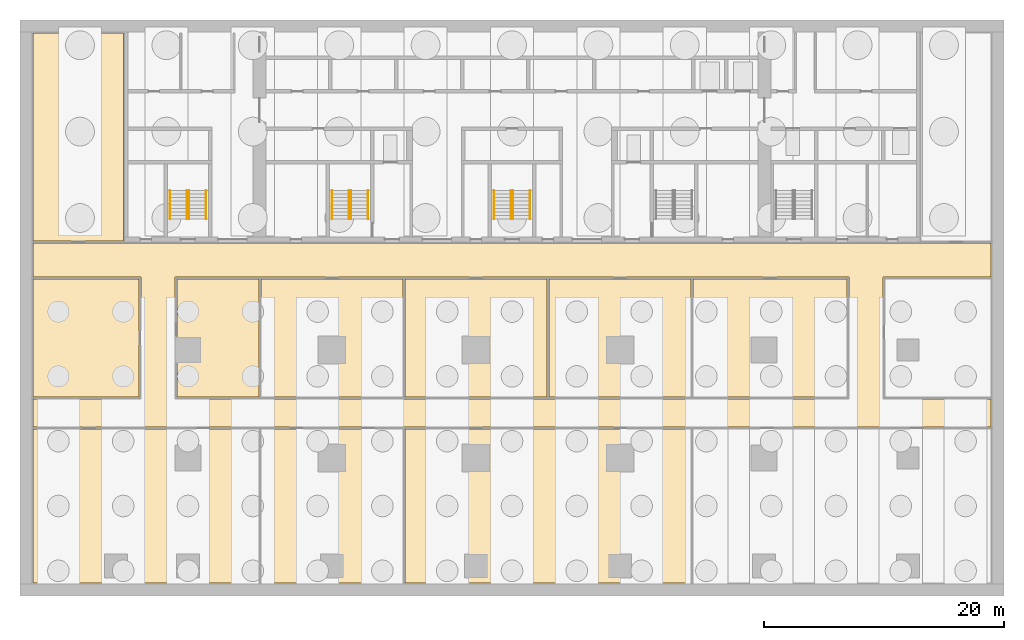
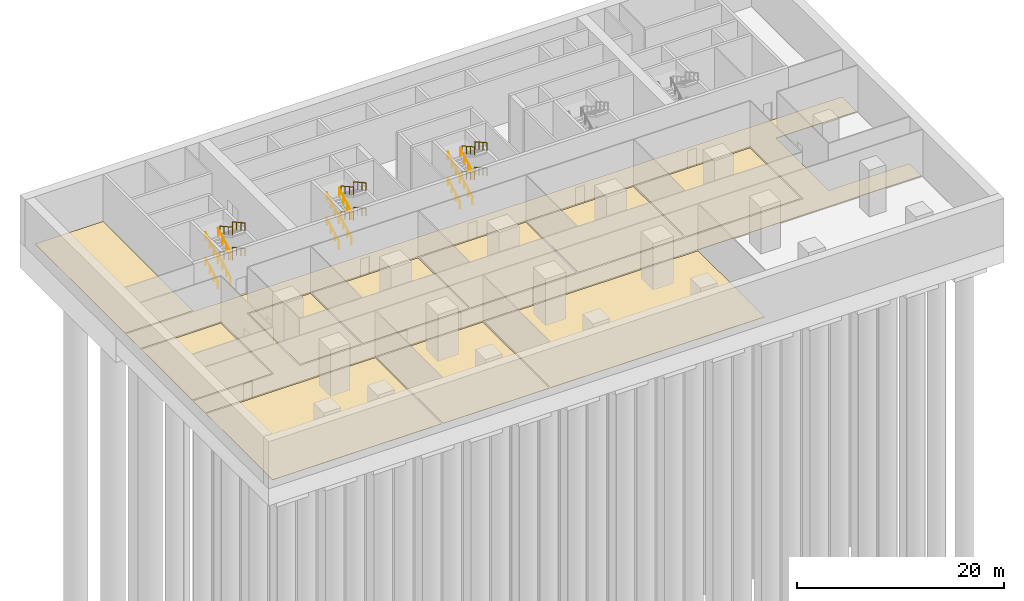
# One storey, part 9 of 11: 24 railings, 11 coverings, 3 elements without a shape of their own.
"""IFC4 building model written with IfcOpenShell, lengths in metres."""

from ifc_helpers import new_model, si_unit, direction, frame, origin, origin_2d, place, context, subcontext, project, spatial, polyline, circle, outline, extrude, material, layer, layer_set, type_object, element, aggregate, save


model = new_model("IFC4")

# Units and contexts
model_context = context("Model", 3, precision=1e-05, world=origin(), true_north=direction((0.0, 1.0)))
body_context = subcontext(model_context, "Body", "Model", "MODEL_VIEW")
ifc_project = project(units=[si_unit("LENGTHUNIT", "METRE"), si_unit("AREAUNIT", "SQUARE_METRE"), si_unit("VOLUMEUNIT", "CUBIC_METRE"), si_unit("PLANEANGLEUNIT", "RADIAN"), si_unit("MASSUNIT", "GRAM", prefix="KILO")], contexts=[model_context])

# Site, building, storey
site_placement = place(None, origin())
site = spatial("IfcSite", under=ifc_project, at=site_placement, CompositionType="ELEMENT")
building_placement = place(site_placement, origin())
building = spatial("IfcBuilding", under=site, at=building_placement, Name="Calvaro Tower", CompositionType="ELEMENT")
storey_placement = place(building_placement, frame((0.0, 0.0, -12.0)))
storey = spatial("IfcBuildingStorey", under=building, at=storey_placement, Name="B2", CompositionType="ELEMENT", Elevation=-12.0)

# Coverings
ifc_material_1 = material(Name="Cement screed with carpet tile finish")
ifc_layer = layer(ifc_material_1, 0.050048828125)
ifc_layer_set = layer_set([ifc_layer], Name="Cement screed with carpet tile finish")
covering_type = type_object("IfcCoveringType", Name="Floor finish 50", PredefinedType="FLOORING", material=ifc_layer_set)
covering_1_placement = place(storey_placement, origin())
element("IfcCovering", 1, at=covering_1_placement, inside=storey, type_object=covering_type, Name="Floor finish 01.01", PredefinedType="FLOORING", context=body_context, shape_type="SweptSolid", body=[
    extrude(outline(polyline([(-0.929931640625, 12.570068359375), (-0.929931640625, 14.929931640625), (8.070068359375, 14.929931640625), (8.070068359375, 25.070068359375), (-0.929931640625, 25.070068359375), (-0.929931640625, 27.929931640625), (78.929931640625, 27.929931640625), (78.929931640625, 25.070068359375), (69.929931640625, 25.070068359375), (69.929931640625, 14.929931640625), (78.929931640625, 14.929931640625), (78.929931640625, 12.570068359375), (-0.929931640625, 12.570068359375)]), holes=[polyline([(67.070068359375, 14.929931640625), (67.070068359375, 25.070068359375), (10.929931640625, 25.070068359375), (10.929931640625, 14.929931640625), (67.070068359375, 14.929931640625)])]), origin(), (0.0, 0.0, 1.0), 0.050048828125),
])
covering_2_placement = place(storey_placement, origin())
element("IfcCovering", 2, at=covering_2_placement, inside=storey, type_object=covering_type, Name="Floor finish 01.02", PredefinedType="FLOORING", context=body_context, shape_type="SweptSolid", body=[
    extrude(outline(polyline([(17.929931640625, 12.429931640625), (17.929931640625, -0.429931640625), (-0.929931640625, -0.429931640625), (-0.929931640625, 12.429931640625), (17.929931640625, 12.429931640625)])), origin(), (0.0, 0.0, 1.0), 0.050048828125),
])
covering_3_placement = place(storey_placement, origin())
element("IfcCovering", 3, at=covering_3_placement, inside=storey, type_object=covering_type, Name="Floor finish 01.03", PredefinedType="FLOORING", context=body_context, shape_type="SweptSolid", body=[
    extrude(outline(polyline([(18.070068359375, 12.429931640625), (29.929931640625, 12.429931640625), (29.929931640625, -0.429931640625), (18.070068359375, -0.429931640625), (18.070068359375, 12.429931640625)])), origin(), (0.0, 0.0, 1.0), 0.050048828125),
])
covering_4_placement = place(storey_placement, origin())
element("IfcCovering", 4, at=covering_4_placement, inside=storey, type_object=covering_type, Name="Floor finish 01.04", PredefinedType="FLOORING", context=body_context, shape_type="SweptSolid", body=[
    extrude(outline(polyline([(30.070068359375, 12.429931640625), (53.929931640625, 12.429931640625), (53.929931640625, -0.429931640625), (30.070068359375, -0.429931640625), (30.070068359375, 12.429931640625)])), origin(), (0.0, 0.0, 1.0), 0.050048828125),
])
covering_5_placement = place(storey_placement, origin())
element("IfcCovering", 5, at=covering_5_placement, inside=storey, type_object=covering_type, Name="Floor finish 01.06", PredefinedType="FLOORING", context=body_context, shape_type="SweptSolid", body=[
    extrude(outline(polyline([(7.929931640625, 24.929931640625), (7.929931640625, 15.070068359375), (-0.929931640625, 15.070068359375), (-0.929931640625, 24.929931640625), (7.929931640625, 24.929931640625)])), origin(), (0.0, 0.0, 1.0), 0.050048828125),
])
covering_6_placement = place(storey_placement, origin())
element("IfcCovering", 6, at=covering_6_placement, inside=storey, type_object=covering_type, Name="Floor finish 01.07", PredefinedType="FLOORING", context=body_context, shape_type="SweptSolid", body=[
    extrude(outline(polyline([(11.070068359375, 15.070068359375), (11.070068359375, 24.929931640625), (17.929931640625, 24.929931640625), (17.929931640625, 15.070068359375), (11.070068359375, 15.070068359375)])), origin(), (0.0, 0.0, 1.0), 0.050048828125),
])
covering_7_placement = place(storey_placement, origin())
element("IfcCovering", 7, at=covering_7_placement, inside=storey, type_object=covering_type, Name="Floor finish 01.08", PredefinedType="FLOORING", context=body_context, shape_type="SweptSolid", body=[
    extrude(outline(polyline([(18.070068359375, 15.070068359375), (18.070068359375, 24.929931640625), (29.929931640625, 24.929931640625), (29.929931640625, 15.070068359375), (18.070068359375, 15.070068359375)])), origin(), (0.0, 0.0, 1.0), 0.050048828125),
])
covering_8_placement = place(storey_placement, origin())
element("IfcCovering", 8, at=covering_8_placement, inside=storey, type_object=covering_type, Name="Floor finish 01.09", PredefinedType="FLOORING", context=body_context, shape_type="SweptSolid", body=[
    extrude(outline(polyline([(30.070068359375, 15.070068359375), (30.070068359375, 24.929931640625), (41.929931640625, 24.929931640625), (41.929931640625, 15.070068359375), (30.070068359375, 15.070068359375)])), origin(), (0.0, 0.0, 1.0), 0.050048828125),
])
covering_9_placement = place(storey_placement, origin())
element("IfcCovering", 9, at=covering_9_placement, inside=storey, type_object=covering_type, Name="Floor finish 01.10", PredefinedType="FLOORING", context=body_context, shape_type="SweptSolid", body=[
    extrude(outline(polyline([(42.070068359375, 15.070068359375), (42.070068359375, 24.929931640625), (53.929931640625, 24.929931640625), (53.929931640625, 15.070068359375), (42.070068359375, 15.070068359375)])), origin(), (0.0, 0.0, 1.0), 0.050048828125),
])
covering_10_placement = place(storey_placement, origin())
element("IfcCovering", 10, at=covering_10_placement, inside=storey, type_object=covering_type, Name="Floor finish 01.11", PredefinedType="FLOORING", context=body_context, shape_type="SweptSolid", body=[
    extrude(outline(polyline([(54.070068359375, 15.070068359375), (54.070068359375, 24.929931640625), (66.929931640625, 24.929931640625), (66.929931640625, 15.070068359375), (54.070068359375, 15.070068359375)])), origin(), (0.0, 0.0, 1.0), 0.050048828125),
])
covering_11_placement = place(storey_placement, origin())
element("IfcCovering", 11, at=covering_11_placement, inside=storey, type_object=covering_type, Name="Floor finish 01.13", PredefinedType="FLOORING", context=body_context, shape_type="SweptSolid", body=[
    extrude(outline(polyline([(6.6298828125, 28.070068359375), (-0.929931640625, 28.070068359375), (-0.929931640625, 45.429931640625), (6.6298828125, 45.429931640625), (6.6298828125, 28.070068359375)])), origin(), (0.0, 0.0, 1.0), 0.050048828125),
])

# Stair, railings
ifc_material_2 = material(Name="Concrete C40/50", Category="concrete")
stair_type = type_object("IfcStairType", Name="Exit stair 1400 4 flights", PredefinedType="DOUBLE_RETURN_STAIR", material=ifc_material_2)
stair_1_placement = place(storey_placement, origin())
stair_1 = element("IfcStair", 12, at=stair_1_placement, inside=storey, type_object=stair_type, Name="Exit stair S1", PredefinedType="DOUBLE_RETURN_STAIR")
ifc_material_3 = material(Name="Stainless steel", Category="steel")
railing_type = type_object("IfcRailingType", Name="Stair handrail", PredefinedType="HANDRAIL", material=ifc_material_3)
railing_1_placement = place(storey_placement, frame((11.89990234375, 29.89990234375, 0.166748046875)))
railing_1 = element("IfcRailing", 13, at=railing_1_placement, type_object=railing_type, Name="Exit stair 1 handrail", PredefinedType="HANDRAIL", context=body_context, shape_type="SweptSolid", body=[
    extrude(circle(Radius=0.02392578125, at=origin_2d()), frame((0.0, 0.0, 0.8759765625), z_axis=(0.0, 0.874182441271, 0.485597631145), x_axis=(-1.0, 0.0, 0.0)), (0.0, 0.0, 1.0), 2.74560546875),
    extrude(circle(Radius=0.02099609375, at=origin_2d()), frame((0.0, 0.018310546875, 0.01025390625)), (0.0, 0.0, 1.0), 0.851806640625),
    extrude(circle(Radius=0.02099609375, at=origin_2d()), frame((0.0, 0.800048828125, 0.4443359375)), (0.0, 0.0, 1.0), 0.851806640625),
    extrude(circle(Radius=0.02099609375, at=origin_2d()), frame((0.0, 1.60009765625, 0.888916015625)), (0.0, 0.0, 1.0), 0.851806640625),
    extrude(circle(Radius=0.02099609375, at=origin_2d()), frame((0.0, 2.3818359375, 1.322998046875)), (0.0, 0.0, 1.0), 0.851806640625),
])
railing_2_placement = place(storey_placement, frame((10.5, 29.89990234375, 0.166748046875)))
railing_2 = element("IfcRailing", 14, at=railing_2_placement, type_object=railing_type, Name="Exit stair 1 handrail", PredefinedType="HANDRAIL", context=body_context, shape_type="SweptSolid", body=[
    extrude(circle(Radius=0.02392578125, at=origin_2d()), frame((0.0, 0.0, 0.8759765625), z_axis=(0.0, 0.874182441271, 0.485597631145), x_axis=(-1.0, 0.0, 0.0)), (0.0, 0.0, 1.0), 2.74560546875),
    extrude(circle(Radius=0.02099609375, at=origin_2d()), frame((0.0, 0.018310546875, 0.01025390625)), (0.0, 0.0, 1.0), 0.851806640625),
    extrude(circle(Radius=0.02099609375, at=origin_2d()), frame((0.0, 0.800048828125, 0.4443359375)), (0.0, 0.0, 1.0), 0.851806640625),
    extrude(circle(Radius=0.02099609375, at=origin_2d()), frame((0.0, 1.60009765625, 0.888916015625)), (0.0, 0.0, 1.0), 0.851806640625),
    extrude(circle(Radius=0.02099609375, at=origin_2d()), frame((0.0, 2.3818359375, 1.322998046875)), (0.0, 0.0, 1.0), 0.851806640625),
])
railing_3_placement = place(storey_placement, frame((12.10009765625, 32.300048828125, 1.666748046875)))
railing_3 = element("IfcRailing", 15, at=railing_3_placement, type_object=railing_type, Name="Exit stair 1 handrail", PredefinedType="HANDRAIL", context=body_context, shape_type="SweptSolid", body=[
    extrude(circle(Radius=0.02392578125, at=origin_2d()), frame((0.0, 0.0, 0.8759765625), z_axis=(0.0, -0.874182441271, 0.485597631145), x_axis=(1.0, 0.0, 0.0)), (0.0, 0.0, 1.0), 2.74560546875),
    extrude(circle(Radius=0.02099609375, at=origin_2d()), frame((0.0, -0.018310546875, 0.01025390625)), (0.0, 0.0, 1.0), 0.851806640625),
    extrude(circle(Radius=0.02099609375, at=origin_2d()), frame((0.0, -0.800048828125, 0.4443359375)), (0.0, 0.0, 1.0), 0.851806640625),
    extrude(circle(Radius=0.02099609375, at=origin_2d()), frame((0.0, -1.60009765625, 0.888916015625)), (0.0, 0.0, 1.0), 0.851806640625),
    extrude(circle(Radius=0.02099609375, at=origin_2d()), frame((0.0, -2.3818359375, 1.322998046875)), (0.0, 0.0, 1.0), 0.851806640625),
])
railing_4_placement = place(storey_placement, frame((13.5, 32.300048828125, 1.666748046875)))
railing_4 = element("IfcRailing", 16, at=railing_4_placement, type_object=railing_type, Name="Exit stair 1 handrail", PredefinedType="HANDRAIL", context=body_context, shape_type="SweptSolid", body=[
    extrude(circle(Radius=0.02392578125, at=origin_2d()), frame((0.0, 0.0, 0.8759765625), z_axis=(0.0, -0.874182441271, 0.485597631145), x_axis=(1.0, 0.0, 0.0)), (0.0, 0.0, 1.0), 2.74560546875),
    extrude(circle(Radius=0.02099609375, at=origin_2d()), frame((0.0, -0.018310546875, 0.01025390625)), (0.0, 0.0, 1.0), 0.851806640625),
    extrude(circle(Radius=0.02099609375, at=origin_2d()), frame((0.0, -0.800048828125, 0.4443359375)), (0.0, 0.0, 1.0), 0.851806640625),
    extrude(circle(Radius=0.02099609375, at=origin_2d()), frame((0.0, -1.60009765625, 0.888916015625)), (0.0, 0.0, 1.0), 0.851806640625),
    extrude(circle(Radius=0.02099609375, at=origin_2d()), frame((0.0, -2.3818359375, 1.322998046875)), (0.0, 0.0, 1.0), 0.851806640625),
])
railing_5_placement = place(storey_placement, frame((11.89990234375, 29.89990234375, 3.166748046875)))
railing_5 = element("IfcRailing", 17, at=railing_5_placement, type_object=railing_type, Name="Exit stair 1 handrail", PredefinedType="HANDRAIL", context=body_context, shape_type="SweptSolid", body=[
    extrude(circle(Radius=0.02392578125, at=origin_2d()), frame((0.0, 0.0, 0.8759765625), z_axis=(0.0, 0.874182441271, 0.485597631145), x_axis=(-1.0, 0.0, 0.0)), (0.0, 0.0, 1.0), 2.74560546875),
    extrude(circle(Radius=0.02099609375, at=origin_2d()), frame((0.0, 0.018310546875, 0.01025390625)), (0.0, 0.0, 1.0), 0.851806640625),
    extrude(circle(Radius=0.02099609375, at=origin_2d()), frame((0.0, 0.800048828125, 0.4443359375)), (0.0, 0.0, 1.0), 0.851806640625),
    extrude(circle(Radius=0.02099609375, at=origin_2d()), frame((0.0, 1.60009765625, 0.888916015625)), (0.0, 0.0, 1.0), 0.851806640625),
    extrude(circle(Radius=0.02099609375, at=origin_2d()), frame((0.0, 2.3818359375, 1.322998046875)), (0.0, 0.0, 1.0), 0.851806640625),
])
railing_6_placement = place(storey_placement, frame((10.5, 29.89990234375, 3.166748046875)))
railing_6 = element("IfcRailing", 18, at=railing_6_placement, type_object=railing_type, Name="Exit stair 1 handrail", PredefinedType="HANDRAIL", context=body_context, shape_type="SweptSolid", body=[
    extrude(circle(Radius=0.02392578125, at=origin_2d()), frame((0.0, 0.0, 0.8759765625), z_axis=(0.0, 0.874182441271, 0.485597631145), x_axis=(-1.0, 0.0, 0.0)), (0.0, 0.0, 1.0), 2.74560546875),
    extrude(circle(Radius=0.02099609375, at=origin_2d()), frame((0.0, 0.018310546875, 0.01025390625)), (0.0, 0.0, 1.0), 0.851806640625),
    extrude(circle(Radius=0.02099609375, at=origin_2d()), frame((0.0, 0.800048828125, 0.4443359375)), (0.0, 0.0, 1.0), 0.851806640625),
    extrude(circle(Radius=0.02099609375, at=origin_2d()), frame((0.0, 1.60009765625, 0.888916015625)), (0.0, 0.0, 1.0), 0.851806640625),
    extrude(circle(Radius=0.02099609375, at=origin_2d()), frame((0.0, 2.3818359375, 1.322998046875)), (0.0, 0.0, 1.0), 0.851806640625),
])
railing_7_placement = place(storey_placement, frame((12.10009765625, 32.300048828125, 4.666748046875)))
railing_7 = element("IfcRailing", 19, at=railing_7_placement, type_object=railing_type, Name="Exit stair 1 handrail", PredefinedType="HANDRAIL", context=body_context, shape_type="SweptSolid", body=[
    extrude(circle(Radius=0.02392578125, at=origin_2d()), frame((0.0, 0.0, 0.8759765625), z_axis=(0.0, -0.874182441271, 0.485597631145), x_axis=(1.0, 0.0, 0.0)), (0.0, 0.0, 1.0), 2.74560546875),
    extrude(circle(Radius=0.02099609375, at=origin_2d()), frame((0.0, -0.018310546875, 0.01025390625)), (0.0, 0.0, 1.0), 0.851806640625),
    extrude(circle(Radius=0.02099609375, at=origin_2d()), frame((0.0, -0.800048828125, 0.4443359375)), (0.0, 0.0, 1.0), 0.851806640625),
    extrude(circle(Radius=0.02099609375, at=origin_2d()), frame((0.0, -1.60009765625, 0.888916015625)), (0.0, 0.0, 1.0), 0.851806640625),
    extrude(circle(Radius=0.02099609375, at=origin_2d()), frame((0.0, -2.3818359375, 1.322998046875)), (0.0, 0.0, 1.0), 0.851806640625),
])
railing_8_placement = place(storey_placement, frame((13.5, 32.300048828125, 4.666748046875)))
railing_8 = element("IfcRailing", 20, at=railing_8_placement, type_object=railing_type, Name="Exit stair 1 handrail", PredefinedType="HANDRAIL", context=body_context, shape_type="SweptSolid", body=[
    extrude(circle(Radius=0.02392578125, at=origin_2d()), frame((0.0, 0.0, 0.8759765625), z_axis=(0.0, -0.874182441271, 0.485597631145), x_axis=(1.0, 0.0, 0.0)), (0.0, 0.0, 1.0), 2.74560546875),
    extrude(circle(Radius=0.02099609375, at=origin_2d()), frame((0.0, -0.018310546875, 0.01025390625)), (0.0, 0.0, 1.0), 0.851806640625),
    extrude(circle(Radius=0.02099609375, at=origin_2d()), frame((0.0, -0.800048828125, 0.4443359375)), (0.0, 0.0, 1.0), 0.851806640625),
    extrude(circle(Radius=0.02099609375, at=origin_2d()), frame((0.0, -1.60009765625, 0.888916015625)), (0.0, 0.0, 1.0), 0.851806640625),
    extrude(circle(Radius=0.02099609375, at=origin_2d()), frame((0.0, -2.3818359375, 1.322998046875)), (0.0, 0.0, 1.0), 0.851806640625),
])
aggregate(stair_1, [railing_1, railing_2, railing_3, railing_4, railing_5, railing_6, railing_7, railing_8])

stair_2_placement = place(storey_placement, origin())
stair_2 = element("IfcStair", 21, at=stair_2_placement, inside=storey, type_object=stair_type, Name="Exit stair S2", PredefinedType="DOUBLE_RETURN_STAIR")
railing_9_placement = place(storey_placement, frame((25.39990234375, 29.89990234375, 0.166748046875)))
railing_9 = element("IfcRailing", 22, at=railing_9_placement, type_object=railing_type, Name="Exit stair 2 handrail", PredefinedType="HANDRAIL", context=body_context, shape_type="SweptSolid", body=[
    extrude(circle(Radius=0.02392578125, at=origin_2d()), frame((0.0, 0.0, 0.8759765625), z_axis=(0.0, 0.874182441271, 0.485597631145), x_axis=(-1.0, 0.0, 0.0)), (0.0, 0.0, 1.0), 2.74560546875),
    extrude(circle(Radius=0.02099609375, at=origin_2d()), frame((0.0, 0.018310546875, 0.01025390625)), (0.0, 0.0, 1.0), 0.851806640625),
    extrude(circle(Radius=0.02099609375, at=origin_2d()), frame((0.0, 0.800048828125, 0.4443359375)), (0.0, 0.0, 1.0), 0.851806640625),
    extrude(circle(Radius=0.02099609375, at=origin_2d()), frame((0.0, 1.60009765625, 0.888916015625)), (0.0, 0.0, 1.0), 0.851806640625),
    extrude(circle(Radius=0.02099609375, at=origin_2d()), frame((0.0, 2.3818359375, 1.322998046875)), (0.0, 0.0, 1.0), 0.851806640625),
])
railing_10_placement = place(storey_placement, frame((24.0, 29.89990234375, 0.166748046875)))
railing_10 = element("IfcRailing", 23, at=railing_10_placement, type_object=railing_type, Name="Exit stair 2 handrail", PredefinedType="HANDRAIL", context=body_context, shape_type="SweptSolid", body=[
    extrude(circle(Radius=0.02392578125, at=origin_2d()), frame((0.0, 0.0, 0.8759765625), z_axis=(0.0, 0.874182441271, 0.485597631145), x_axis=(-1.0, 0.0, 0.0)), (0.0, 0.0, 1.0), 2.74560546875),
    extrude(circle(Radius=0.02099609375, at=origin_2d()), frame((0.0, 0.018310546875, 0.01025390625)), (0.0, 0.0, 1.0), 0.851806640625),
    extrude(circle(Radius=0.02099609375, at=origin_2d()), frame((0.0, 0.800048828125, 0.4443359375)), (0.0, 0.0, 1.0), 0.851806640625),
    extrude(circle(Radius=0.02099609375, at=origin_2d()), frame((0.0, 1.60009765625, 0.888916015625)), (0.0, 0.0, 1.0), 0.851806640625),
    extrude(circle(Radius=0.02099609375, at=origin_2d()), frame((0.0, 2.3818359375, 1.322998046875)), (0.0, 0.0, 1.0), 0.851806640625),
])
railing_11_placement = place(storey_placement, frame((25.60009765625, 32.300048828125, 1.666748046875)))
railing_11 = element("IfcRailing", 24, at=railing_11_placement, type_object=railing_type, Name="Exit stair 2 handrail", PredefinedType="HANDRAIL", context=body_context, shape_type="SweptSolid", body=[
    extrude(circle(Radius=0.02392578125, at=origin_2d()), frame((0.0, 0.0, 0.8759765625), z_axis=(0.0, -0.874182441271, 0.485597631145), x_axis=(1.0, 0.0, 0.0)), (0.0, 0.0, 1.0), 2.74560546875),
    extrude(circle(Radius=0.02099609375, at=origin_2d()), frame((0.0, -0.018310546875, 0.01025390625)), (0.0, 0.0, 1.0), 0.851806640625),
    extrude(circle(Radius=0.02099609375, at=origin_2d()), frame((0.0, -0.800048828125, 0.4443359375)), (0.0, 0.0, 1.0), 0.851806640625),
    extrude(circle(Radius=0.02099609375, at=origin_2d()), frame((0.0, -1.60009765625, 0.888916015625)), (0.0, 0.0, 1.0), 0.851806640625),
    extrude(circle(Radius=0.02099609375, at=origin_2d()), frame((0.0, -2.3818359375, 1.322998046875)), (0.0, 0.0, 1.0), 0.851806640625),
])
railing_12_placement = place(storey_placement, frame((27.0, 32.300048828125, 1.666748046875)))
railing_12 = element("IfcRailing", 25, at=railing_12_placement, type_object=railing_type, Name="Exit stair 2 handrail", PredefinedType="HANDRAIL", context=body_context, shape_type="SweptSolid", body=[
    extrude(circle(Radius=0.02392578125, at=origin_2d()), frame((0.0, 0.0, 0.8759765625), z_axis=(0.0, -0.874182441271, 0.485597631145), x_axis=(1.0, 0.0, 0.0)), (0.0, 0.0, 1.0), 2.74560546875),
    extrude(circle(Radius=0.02099609375, at=origin_2d()), frame((0.0, -0.018310546875, 0.01025390625)), (0.0, 0.0, 1.0), 0.851806640625),
    extrude(circle(Radius=0.02099609375, at=origin_2d()), frame((0.0, -0.800048828125, 0.4443359375)), (0.0, 0.0, 1.0), 0.851806640625),
    extrude(circle(Radius=0.02099609375, at=origin_2d()), frame((0.0, -1.60009765625, 0.888916015625)), (0.0, 0.0, 1.0), 0.851806640625),
    extrude(circle(Radius=0.02099609375, at=origin_2d()), frame((0.0, -2.3818359375, 1.322998046875)), (0.0, 0.0, 1.0), 0.851806640625),
])
railing_13_placement = place(storey_placement, frame((25.39990234375, 29.89990234375, 3.166748046875)))
railing_13 = element("IfcRailing", 26, at=railing_13_placement, type_object=railing_type, Name="Exit stair 2 handrail", PredefinedType="HANDRAIL", context=body_context, shape_type="SweptSolid", body=[
    extrude(circle(Radius=0.02392578125, at=origin_2d()), frame((0.0, 0.0, 0.8759765625), z_axis=(0.0, 0.874182441271, 0.485597631145), x_axis=(-1.0, 0.0, 0.0)), (0.0, 0.0, 1.0), 2.74560546875),
    extrude(circle(Radius=0.02099609375, at=origin_2d()), frame((0.0, 0.018310546875, 0.01025390625)), (0.0, 0.0, 1.0), 0.851806640625),
    extrude(circle(Radius=0.02099609375, at=origin_2d()), frame((0.0, 0.800048828125, 0.4443359375)), (0.0, 0.0, 1.0), 0.851806640625),
    extrude(circle(Radius=0.02099609375, at=origin_2d()), frame((0.0, 1.60009765625, 0.888916015625)), (0.0, 0.0, 1.0), 0.851806640625),
    extrude(circle(Radius=0.02099609375, at=origin_2d()), frame((0.0, 2.3818359375, 1.322998046875)), (0.0, 0.0, 1.0), 0.851806640625),
])
railing_14_placement = place(storey_placement, frame((24.0, 29.89990234375, 3.166748046875)))
railing_14 = element("IfcRailing", 27, at=railing_14_placement, type_object=railing_type, Name="Exit stair 2 handrail", PredefinedType="HANDRAIL", context=body_context, shape_type="SweptSolid", body=[
    extrude(circle(Radius=0.02392578125, at=origin_2d()), frame((0.0, 0.0, 0.8759765625), z_axis=(0.0, 0.874182441271, 0.485597631145), x_axis=(-1.0, 0.0, 0.0)), (0.0, 0.0, 1.0), 2.74560546875),
    extrude(circle(Radius=0.02099609375, at=origin_2d()), frame((0.0, 0.018310546875, 0.01025390625)), (0.0, 0.0, 1.0), 0.851806640625),
    extrude(circle(Radius=0.02099609375, at=origin_2d()), frame((0.0, 0.800048828125, 0.4443359375)), (0.0, 0.0, 1.0), 0.851806640625),
    extrude(circle(Radius=0.02099609375, at=origin_2d()), frame((0.0, 1.60009765625, 0.888916015625)), (0.0, 0.0, 1.0), 0.851806640625),
    extrude(circle(Radius=0.02099609375, at=origin_2d()), frame((0.0, 2.3818359375, 1.322998046875)), (0.0, 0.0, 1.0), 0.851806640625),
])
railing_15_placement = place(storey_placement, frame((25.60009765625, 32.300048828125, 4.666748046875)))
railing_15 = element("IfcRailing", 28, at=railing_15_placement, type_object=railing_type, Name="Exit stair 2 handrail", PredefinedType="HANDRAIL", context=body_context, shape_type="SweptSolid", body=[
    extrude(circle(Radius=0.02392578125, at=origin_2d()), frame((0.0, 0.0, 0.8759765625), z_axis=(0.0, -0.874182441271, 0.485597631145), x_axis=(1.0, 0.0, 0.0)), (0.0, 0.0, 1.0), 2.74560546875),
    extrude(circle(Radius=0.02099609375, at=origin_2d()), frame((0.0, -0.018310546875, 0.01025390625)), (0.0, 0.0, 1.0), 0.851806640625),
    extrude(circle(Radius=0.02099609375, at=origin_2d()), frame((0.0, -0.800048828125, 0.4443359375)), (0.0, 0.0, 1.0), 0.851806640625),
    extrude(circle(Radius=0.02099609375, at=origin_2d()), frame((0.0, -1.60009765625, 0.888916015625)), (0.0, 0.0, 1.0), 0.851806640625),
    extrude(circle(Radius=0.02099609375, at=origin_2d()), frame((0.0, -2.3818359375, 1.322998046875)), (0.0, 0.0, 1.0), 0.851806640625),
])
railing_16_placement = place(storey_placement, frame((27.0, 32.300048828125, 4.666748046875)))
railing_16 = element("IfcRailing", 29, at=railing_16_placement, type_object=railing_type, Name="Exit stair 2 handrail", PredefinedType="HANDRAIL", context=body_context, shape_type="SweptSolid", body=[
    extrude(circle(Radius=0.02392578125, at=origin_2d()), frame((0.0, 0.0, 0.8759765625), z_axis=(0.0, -0.874182441271, 0.485597631145), x_axis=(1.0, 0.0, 0.0)), (0.0, 0.0, 1.0), 2.74560546875),
    extrude(circle(Radius=0.02099609375, at=origin_2d()), frame((0.0, -0.018310546875, 0.01025390625)), (0.0, 0.0, 1.0), 0.851806640625),
    extrude(circle(Radius=0.02099609375, at=origin_2d()), frame((0.0, -0.800048828125, 0.4443359375)), (0.0, 0.0, 1.0), 0.851806640625),
    extrude(circle(Radius=0.02099609375, at=origin_2d()), frame((0.0, -1.60009765625, 0.888916015625)), (0.0, 0.0, 1.0), 0.851806640625),
    extrude(circle(Radius=0.02099609375, at=origin_2d()), frame((0.0, -2.3818359375, 1.322998046875)), (0.0, 0.0, 1.0), 0.851806640625),
])
aggregate(stair_2, [railing_9, railing_10, railing_11, railing_12, railing_13, railing_14, railing_15, railing_16])

stair_3_placement = place(storey_placement, origin())
stair_3 = element("IfcStair", 30, at=stair_3_placement, inside=storey, type_object=stair_type, Name="Exit stair S3", PredefinedType="DOUBLE_RETURN_STAIR")
railing_17_placement = place(storey_placement, frame((38.89990234375, 29.89990234375, 0.166748046875)))
railing_17 = element("IfcRailing", 31, at=railing_17_placement, type_object=railing_type, Name="Exit stair 3 handrail", PredefinedType="HANDRAIL", context=body_context, shape_type="SweptSolid", body=[
    extrude(circle(Radius=0.02392578125, at=origin_2d()), frame((0.0, 0.0, 0.8759765625), z_axis=(0.0, 0.874182441271, 0.485597631145), x_axis=(-1.0, 0.0, 0.0)), (0.0, 0.0, 1.0), 2.74560546875),
    extrude(circle(Radius=0.02099609375, at=origin_2d()), frame((0.0, 0.018310546875, 0.01025390625)), (0.0, 0.0, 1.0), 0.851806640625),
    extrude(circle(Radius=0.02099609375, at=origin_2d()), frame((0.0, 0.800048828125, 0.4443359375)), (0.0, 0.0, 1.0), 0.851806640625),
    extrude(circle(Radius=0.02099609375, at=origin_2d()), frame((0.0, 1.60009765625, 0.888916015625)), (0.0, 0.0, 1.0), 0.851806640625),
    extrude(circle(Radius=0.02099609375, at=origin_2d()), frame((0.0, 2.3818359375, 1.322998046875)), (0.0, 0.0, 1.0), 0.851806640625),
])
railing_18_placement = place(storey_placement, frame((37.5, 29.89990234375, 0.166748046875)))
railing_18 = element("IfcRailing", 32, at=railing_18_placement, type_object=railing_type, Name="Exit stair 3 handrail", PredefinedType="HANDRAIL", context=body_context, shape_type="SweptSolid", body=[
    extrude(circle(Radius=0.02392578125, at=origin_2d()), frame((0.0, 0.0, 0.8759765625), z_axis=(0.0, 0.874182441271, 0.485597631145), x_axis=(-1.0, 0.0, 0.0)), (0.0, 0.0, 1.0), 2.74560546875),
    extrude(circle(Radius=0.02099609375, at=origin_2d()), frame((0.0, 0.018310546875, 0.01025390625)), (0.0, 0.0, 1.0), 0.851806640625),
    extrude(circle(Radius=0.02099609375, at=origin_2d()), frame((0.0, 0.800048828125, 0.4443359375)), (0.0, 0.0, 1.0), 0.851806640625),
    extrude(circle(Radius=0.02099609375, at=origin_2d()), frame((0.0, 1.60009765625, 0.888916015625)), (0.0, 0.0, 1.0), 0.851806640625),
    extrude(circle(Radius=0.02099609375, at=origin_2d()), frame((0.0, 2.3818359375, 1.322998046875)), (0.0, 0.0, 1.0), 0.851806640625),
])
railing_19_placement = place(storey_placement, frame((39.10009765625, 32.300048828125, 1.666748046875)))
railing_19 = element("IfcRailing", 33, at=railing_19_placement, type_object=railing_type, Name="Exit stair 3 handrail", PredefinedType="HANDRAIL", context=body_context, shape_type="SweptSolid", body=[
    extrude(circle(Radius=0.02392578125, at=origin_2d()), frame((0.0, 0.0, 0.8759765625), z_axis=(0.0, -0.874182441271, 0.485597631145), x_axis=(1.0, 0.0, 0.0)), (0.0, 0.0, 1.0), 2.74560546875),
    extrude(circle(Radius=0.02099609375, at=origin_2d()), frame((0.0, -0.018310546875, 0.01025390625)), (0.0, 0.0, 1.0), 0.851806640625),
    extrude(circle(Radius=0.02099609375, at=origin_2d()), frame((0.0, -0.800048828125, 0.4443359375)), (0.0, 0.0, 1.0), 0.851806640625),
    extrude(circle(Radius=0.02099609375, at=origin_2d()), frame((0.0, -1.60009765625, 0.888916015625)), (0.0, 0.0, 1.0), 0.851806640625),
    extrude(circle(Radius=0.02099609375, at=origin_2d()), frame((0.0, -2.3818359375, 1.322998046875)), (0.0, 0.0, 1.0), 0.851806640625),
])
railing_20_placement = place(storey_placement, frame((40.5, 32.300048828125, 1.666748046875)))
railing_20 = element("IfcRailing", 34, at=railing_20_placement, type_object=railing_type, Name="Exit stair 3 handrail", PredefinedType="HANDRAIL", context=body_context, shape_type="SweptSolid", body=[
    extrude(circle(Radius=0.02392578125, at=origin_2d()), frame((0.0, 0.0, 0.8759765625), z_axis=(0.0, -0.874182441271, 0.485597631145), x_axis=(1.0, 0.0, 0.0)), (0.0, 0.0, 1.0), 2.74560546875),
    extrude(circle(Radius=0.02099609375, at=origin_2d()), frame((0.0, -0.018310546875, 0.01025390625)), (0.0, 0.0, 1.0), 0.851806640625),
    extrude(circle(Radius=0.02099609375, at=origin_2d()), frame((0.0, -0.800048828125, 0.4443359375)), (0.0, 0.0, 1.0), 0.851806640625),
    extrude(circle(Radius=0.02099609375, at=origin_2d()), frame((0.0, -1.60009765625, 0.888916015625)), (0.0, 0.0, 1.0), 0.851806640625),
    extrude(circle(Radius=0.02099609375, at=origin_2d()), frame((0.0, -2.3818359375, 1.322998046875)), (0.0, 0.0, 1.0), 0.851806640625),
])
railing_21_placement = place(storey_placement, frame((38.89990234375, 29.89990234375, 3.166748046875)))
railing_21 = element("IfcRailing", 35, at=railing_21_placement, type_object=railing_type, Name="Exit stair 3 handrail", PredefinedType="HANDRAIL", context=body_context, shape_type="SweptSolid", body=[
    extrude(circle(Radius=0.02392578125, at=origin_2d()), frame((0.0, 0.0, 0.8759765625), z_axis=(0.0, 0.874182441271, 0.485597631145), x_axis=(-1.0, 0.0, 0.0)), (0.0, 0.0, 1.0), 2.74560546875),
    extrude(circle(Radius=0.02099609375, at=origin_2d()), frame((0.0, 0.018310546875, 0.01025390625)), (0.0, 0.0, 1.0), 0.851806640625),
    extrude(circle(Radius=0.02099609375, at=origin_2d()), frame((0.0, 0.800048828125, 0.4443359375)), (0.0, 0.0, 1.0), 0.851806640625),
    extrude(circle(Radius=0.02099609375, at=origin_2d()), frame((0.0, 1.60009765625, 0.888916015625)), (0.0, 0.0, 1.0), 0.851806640625),
    extrude(circle(Radius=0.02099609375, at=origin_2d()), frame((0.0, 2.3818359375, 1.322998046875)), (0.0, 0.0, 1.0), 0.851806640625),
])
railing_22_placement = place(storey_placement, frame((37.5, 29.89990234375, 3.166748046875)))
railing_22 = element("IfcRailing", 36, at=railing_22_placement, type_object=railing_type, Name="Exit stair 3 handrail", PredefinedType="HANDRAIL", context=body_context, shape_type="SweptSolid", body=[
    extrude(circle(Radius=0.02392578125, at=origin_2d()), frame((0.0, 0.0, 0.8759765625), z_axis=(0.0, 0.874182441271, 0.485597631145), x_axis=(-1.0, 0.0, 0.0)), (0.0, 0.0, 1.0), 2.74560546875),
    extrude(circle(Radius=0.02099609375, at=origin_2d()), frame((0.0, 0.018310546875, 0.01025390625)), (0.0, 0.0, 1.0), 0.851806640625),
    extrude(circle(Radius=0.02099609375, at=origin_2d()), frame((0.0, 0.800048828125, 0.4443359375)), (0.0, 0.0, 1.0), 0.851806640625),
    extrude(circle(Radius=0.02099609375, at=origin_2d()), frame((0.0, 1.60009765625, 0.888916015625)), (0.0, 0.0, 1.0), 0.851806640625),
    extrude(circle(Radius=0.02099609375, at=origin_2d()), frame((0.0, 2.3818359375, 1.322998046875)), (0.0, 0.0, 1.0), 0.851806640625),
])
railing_23_placement = place(storey_placement, frame((39.10009765625, 32.300048828125, 4.666748046875)))
railing_23 = element("IfcRailing", 37, at=railing_23_placement, type_object=railing_type, Name="Exit stair 3 handrail", PredefinedType="HANDRAIL", context=body_context, shape_type="SweptSolid", body=[
    extrude(circle(Radius=0.02392578125, at=origin_2d()), frame((0.0, 0.0, 0.8759765625), z_axis=(0.0, -0.874182441271, 0.485597631145), x_axis=(1.0, 0.0, 0.0)), (0.0, 0.0, 1.0), 2.74560546875),
    extrude(circle(Radius=0.02099609375, at=origin_2d()), frame((0.0, -0.018310546875, 0.01025390625)), (0.0, 0.0, 1.0), 0.851806640625),
    extrude(circle(Radius=0.02099609375, at=origin_2d()), frame((0.0, -0.800048828125, 0.4443359375)), (0.0, 0.0, 1.0), 0.851806640625),
    extrude(circle(Radius=0.02099609375, at=origin_2d()), frame((0.0, -1.60009765625, 0.888916015625)), (0.0, 0.0, 1.0), 0.851806640625),
    extrude(circle(Radius=0.02099609375, at=origin_2d()), frame((0.0, -2.3818359375, 1.322998046875)), (0.0, 0.0, 1.0), 0.851806640625),
])
railing_24_placement = place(storey_placement, frame((40.5, 32.300048828125, 4.666748046875)))
railing_24 = element("IfcRailing", 38, at=railing_24_placement, type_object=railing_type, Name="Exit stair 3 handrail", PredefinedType="HANDRAIL", context=body_context, shape_type="SweptSolid", body=[
    extrude(circle(Radius=0.02392578125, at=origin_2d()), frame((0.0, 0.0, 0.8759765625), z_axis=(0.0, -0.874182441271, 0.485597631145), x_axis=(1.0, 0.0, 0.0)), (0.0, 0.0, 1.0), 2.74560546875),
    extrude(circle(Radius=0.02099609375, at=origin_2d()), frame((0.0, -0.018310546875, 0.01025390625)), (0.0, 0.0, 1.0), 0.851806640625),
    extrude(circle(Radius=0.02099609375, at=origin_2d()), frame((0.0, -0.800048828125, 0.4443359375)), (0.0, 0.0, 1.0), 0.851806640625),
    extrude(circle(Radius=0.02099609375, at=origin_2d()), frame((0.0, -1.60009765625, 0.888916015625)), (0.0, 0.0, 1.0), 0.851806640625),
    extrude(circle(Radius=0.02099609375, at=origin_2d()), frame((0.0, -2.3818359375, 1.322998046875)), (0.0, 0.0, 1.0), 0.851806640625),
])
aggregate(stair_3, [railing_17, railing_18, railing_19, railing_20, railing_21, railing_22, railing_23, railing_24])

save(model, "model.ifc")
